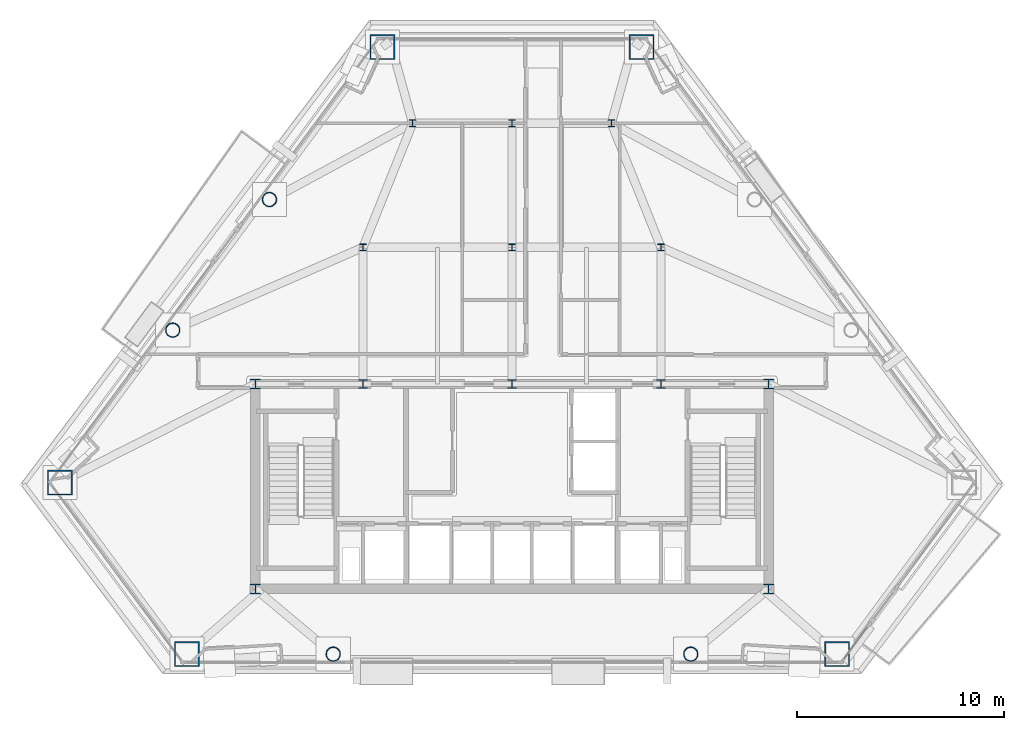
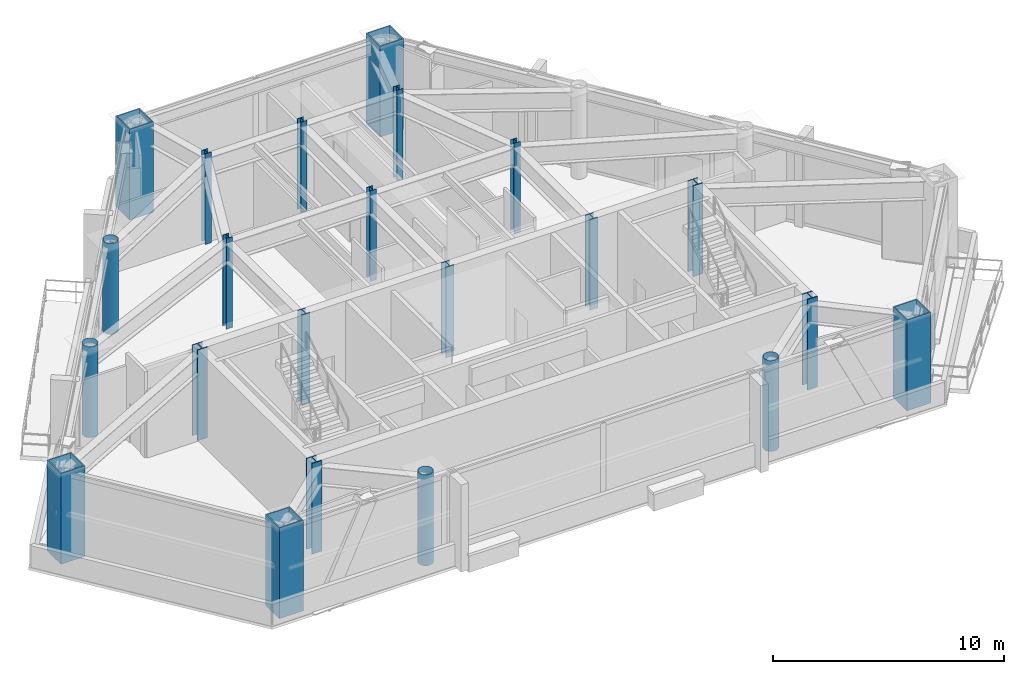
# One storey, part 1 of 9: 22 columns.
"""IFC4 building model written with IfcOpenShell, lengths in metres."""

from ifc_helpers import new_model, si_unit, direction, frame, origin, origin_2d, place, context, subcontext, project, spatial, hollow_rectangle, hollow_circle, i_section, extrude, material, material_profile, profile_set, type_object, element, save


model = new_model("IFC4")

# Units and contexts
model_context = context("Model", 3, precision=1e-05, world=origin(), true_north=direction((0.0, 1.0)))
body_context = subcontext(model_context, "Body", "Model", "MODEL_VIEW")
ifc_project = project(units=[si_unit("LENGTHUNIT", "METRE"), si_unit("AREAUNIT", "SQUARE_METRE"), si_unit("VOLUMEUNIT", "CUBIC_METRE"), si_unit("PLANEANGLEUNIT", "RADIAN"), si_unit("MASSUNIT", "GRAM", prefix="KILO")], contexts=[model_context])

# Site, building, storey
site_placement = place(None, origin())
site = spatial("IfcSite", under=ifc_project, at=site_placement, CompositionType="ELEMENT")
building_placement = place(site_placement, origin())
building = spatial("IfcBuilding", under=site, at=building_placement, Name="Talgorran Terracotta Tower", CompositionType="ELEMENT")
storey_placement = place(building_placement, frame((0.0, 0.0, 94.800048828125)))
storey = spatial("IfcBuildingStorey", under=building, at=storey_placement, Name="L24", CompositionType="ELEMENT", Elevation=94.800048828125)

# Columns
ifc_material_1 = material(Name="Steel S355 (300PLUS)", Category="steel")
ifc_material_profile_1 = material_profile(ifc_material_1, i_section(OverallWidth=0.311279296875, OverallDepth=0.3271484375, WebThickness=0.015625, FlangeThickness=0.02490234375, at=origin_2d()), Name="310UC158")
ifc_profile_set_1 = profile_set([ifc_material_profile_1], Name="Steel S355 (300PLUS)")
column_type_1 = type_object("IfcColumnType", Name="COL_310UC158", PredefinedType="COLUMN", material=ifc_profile_set_1)
for number, where, z_axis, x_axis, name in (
    (1, (-7.199951171875, 2.39990234375, 0.0), (0.0, 0.0, 1.0), (1.0, 0.0, 0.0), "L24 Interior Gravity Column IC1"),
    (2, (0.0, 2.39990234375, 0.0), (0.0, 0.0, 1.0), (1.0, 0.0, 0.0), "L24 Interior Gravity Column IC2"),
    (3, (7.199951171875, 2.39990234375, 0.0), (0.0, 0.0, 1.0), (1.0, 0.0, 0.0), "L24 Interior Gravity Column IC3"),
    (4, (-4.800048828125, 8.39990234375, 0.0), (0.0, 0.0, 1.0), (1.0, 0.0, 0.0), "L24 Interior Gravity Column IC4"),
    (5, (0.0, 8.39990234375, 0.0), (0.0, 0.0, 1.0), (1.0, 0.0, 0.0), "L24 Interior Gravity Column IC5"),
    (6, (4.800048828125, 8.39990234375, 0.0), (0.0, 0.0, 1.0), (1.0, 0.0, 0.0), "L24 Interior Gravity Column IC6"),
):
    element("IfcColumn", number, at=place(storey_placement, frame(where, z_axis=z_axis, x_axis=x_axis)), inside=storey, type_object=column_type_1, Name=name, PredefinedType="COLUMN", context=body_context, shape_type="SweptSolid", body=[
        extrude(i_section(OverallWidth=0.311279296875, OverallDepth=0.3271484375, WebThickness=0.015625, FlangeThickness=0.02490234375, at=origin_2d()), origin(), (0.0, 0.0, 1.0), 4.800048828125),
    ])
ifc_material_profile_2 = material_profile(ifc_material_1, i_section(OverallWidth=0.5, OverallDepth=0.48193359375, WebThickness=0.0400390625, FlangeThickness=0.044921875, at=origin_2d()), Name="500WC440")
ifc_profile_set_2 = profile_set([ifc_material_profile_2], Name="Steel S355 (300PLUS)")
column_type_2 = type_object("IfcColumnType", Name="COL_500WC440", PredefinedType="COLUMN", material=ifc_profile_set_2)
for number, where, z_axis, x_axis, name in (
    (7, (-12.39990234375, -14.10009765625, 0.0), (0.0, 0.0, 1.0), (1.0, 0.0, 0.0), "L24 Core Boundary Column CC1"),
    (8, (12.39990234375, -14.10009765625, 0.0), (0.0, 0.0, 1.0), (1.0, 0.0, 0.0), "L24 Core Boundary Column CC2"),
    (9, (12.39990234375, -4.199951171875, 0.0), (0.0, 0.0, 1.0), (1.0, 0.0, 0.0), "L24 Core Boundary Column CC3"),
    (10, (-12.39990234375, -4.199951171875, 0.0), (0.0, 0.0, 1.0), (1.0, 0.0, 0.0), "L24 Core Boundary Column CC4"),
):
    element("IfcColumn", number, at=place(storey_placement, frame(where, z_axis=z_axis, x_axis=x_axis)), inside=storey, type_object=column_type_2, Name=name, PredefinedType="COLUMN", context=body_context, shape_type="SweptSolid", body=[
        extrude(i_section(OverallWidth=0.5, OverallDepth=0.48193359375, WebThickness=0.0400390625, FlangeThickness=0.044921875, at=origin_2d()), origin(), (0.0, 0.0, 1.0), 4.800048828125),
    ])
ifc_material_2 = material(Name="Steel Grade 350 (350L0)", Category="steel")
ifc_material_profile_3 = material_profile(ifc_material_2, hollow_rectangle(XDim=1.199951171875, YDim=1.199951171875, WallThickness=0.054931640625, at=origin_2d()), Name="CFT1200X1200X55")
ifc_profile_set_3 = profile_set([ifc_material_profile_3], Name="Steel Grade 350 (350L0)")
column_type_3 = type_object("IfcColumnType", Name="COL_CFT_1200", PredefinedType="COLUMN", material=ifc_profile_set_3)
for number, where, z_axis, x_axis, name in (
    (11, (-21.843994140625, -8.96142578125, 0.0), (0.0, 0.0, 1.0), (1.0, 0.0, 0.0), "L24 Corner CFT Mega-Column MC1"),
    (12, (-15.70361328125, -17.252197265625, 0.0), (0.0, 0.0, 1.0), (1.0, 0.0, 0.0), "L24 Corner CFT Mega-Column MC2"),
    (13, (15.70361328125, -17.252197265625, 0.0), (0.0, 0.0, 1.0), (1.0, 0.0, 0.0), "L24 Corner CFT Mega-Column MC3"),
    (14, (6.263671875, 12.074951171875, 0.0), (0.0, 0.0, 1.0), (1.0, 0.0, 0.0), "L24 Corner CFT Mega-Column MC5"),
    (15, (-6.263671875, 12.074951171875, 0.0), (0.0, 0.0, 1.0), (1.0, 0.0, 0.0), "L24 Corner CFT Mega-Column MC6"),
):
    element("IfcColumn", number, at=place(storey_placement, frame(where, z_axis=z_axis, x_axis=x_axis)), inside=storey, type_object=column_type_3, Name=name, PredefinedType="COLUMN", context=body_context, shape_type="SweptSolid", body=[
        extrude(hollow_rectangle(XDim=1.199951171875, YDim=1.199951171875, WallThickness=0.054931640625, at=origin_2d()), origin(), (0.0, 0.0, 1.0), 4.800048828125),
    ])
ifc_material_profile_4 = material_profile(ifc_material_2, hollow_circle(Radius=0.35009765625, WallThickness=0.030029296875, at=origin_2d()), Name="CHS700X30")
ifc_profile_set_4 = profile_set([ifc_material_profile_4], Name="Steel Grade 350 (350L0)")
column_type_4 = type_object("IfcColumnType", Name="COL_CHS_700", PredefinedType="COLUMN", material=ifc_profile_set_4)
for number, where, z_axis, x_axis, name in (
    (16, (-8.636962890625, -17.252197265625, 0.0), (0.0, 0.0, 1.0), (1.0, 0.0, 0.0), "L24 Facet Perimeter Column FC1"),
    (17, (8.636962890625, -17.252197265625, 0.0), (0.0, 0.0, 1.0), (1.0, 0.0, 0.0), "L24 Facet Perimeter Column FC2"),
    (18, (-11.716796875, 4.712158203125, 0.0), (0.0, 0.0, 1.0), (1.0, 0.0, 0.0), "L24 Facet Perimeter Column FC5"),
    (19, (-16.390869140625, -1.598876953125, 0.0), (0.0, 0.0, 1.0), (1.0, 0.0, 0.0), "L24 Facet Perimeter Column FC6"),
):
    element("IfcColumn", number, at=place(storey_placement, frame(where, z_axis=z_axis, x_axis=x_axis)), inside=storey, type_object=column_type_4, Name=name, PredefinedType="COLUMN", context=body_context, shape_type="SweptSolid", body=[
        extrude(hollow_circle(Radius=0.35009765625, WallThickness=0.030029296875, at=origin_2d()), origin(), (0.0, 0.0, 1.0), 4.800048828125),
    ])
ifc_material_profile_5 = material_profile(ifc_material_1, i_section(OverallWidth=0.405029296875, OverallDepth=0.4140625, WebThickness=0.02197265625, FlangeThickness=0.031982421875, at=origin_2d()), Name="400WC270")
ifc_profile_set_5 = profile_set([ifc_material_profile_5], Name="Steel S355 (300PLUS)")
column_type_5 = type_object("IfcColumnType", Name="COL_PIL_400WC270", PredefinedType="PILASTER", material=ifc_profile_set_5)
for number, where, z_axis, x_axis, name in (
    (20, (-7.199951171875, -4.199951171875, 0.0), (0.0, 0.0, 1.0), (1.0, 0.0, 0.0), "L24 Core Shear Pilaster CP1"),
    (21, (0.0, -4.199951171875, 0.0), (0.0, 0.0, 1.0), (1.0, 0.0, 0.0), "L24 Core Shear Pilaster CP2"),
    (22, (7.199951171875, -4.199951171875, 0.0), (0.0, 0.0, 1.0), (1.0, 0.0, 0.0), "L24 Core Shear Pilaster CP3"),
):
    element("IfcColumn", number, at=place(storey_placement, frame(where, z_axis=z_axis, x_axis=x_axis)), inside=storey, type_object=column_type_5, Name=name, PredefinedType="PILASTER", context=body_context, shape_type="SweptSolid", body=[
        extrude(i_section(OverallWidth=0.405029296875, OverallDepth=0.4140625, WebThickness=0.02197265625, FlangeThickness=0.031982421875, at=origin_2d()), origin(), (0.0, 0.0, 1.0), 4.800048828125),
    ])

save(model, "model.ifc")
